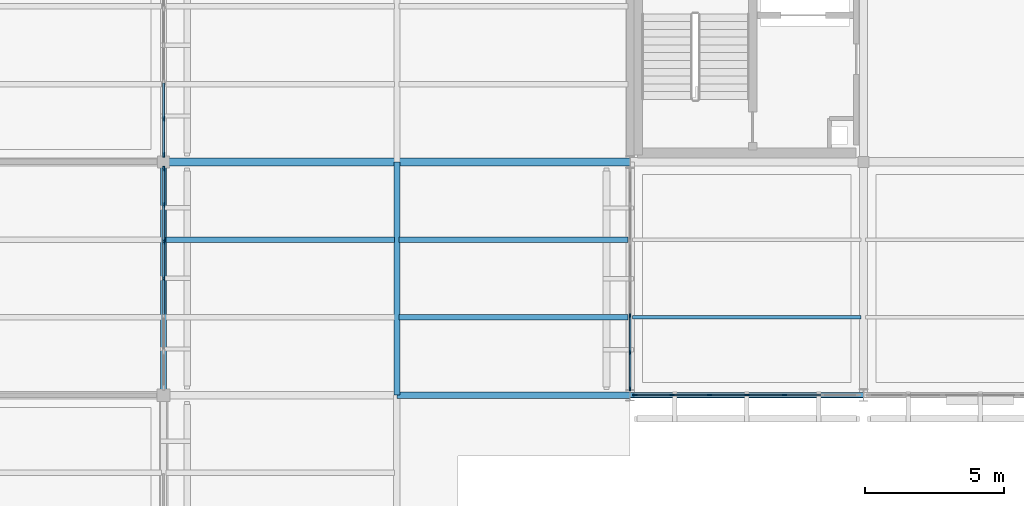
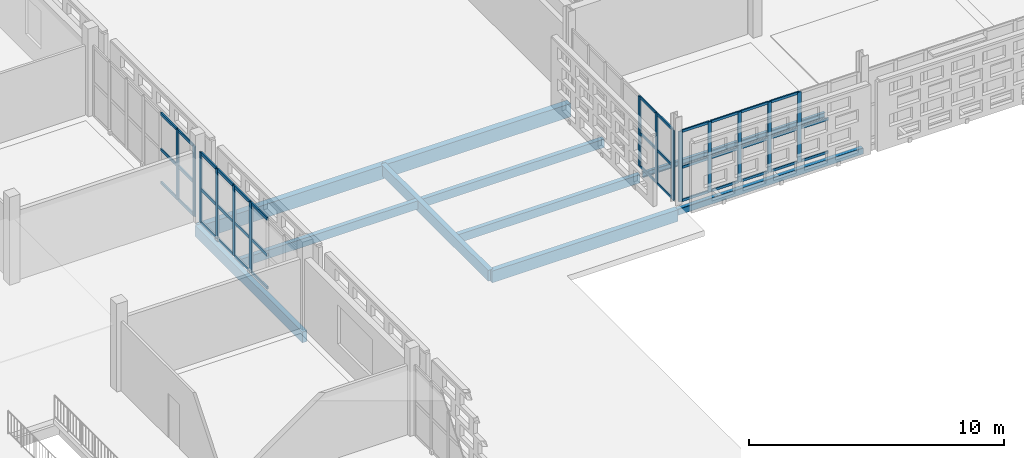
# One storey, part 34 of 166: 52 members, 10 beams, 4 elements without a shape of their own.
"""IFC4 building model written with IfcOpenShell, lengths in metres."""

from ifc_helpers import new_model, si_unit, direction, frame, origin, origin_2d, place, context, subcontext, project, spatial, rectangle, hollow_rectangle, i_section, extrude, material, layer, layer_set, material_profile, profile_set, type_object, element, aggregate, save


model = new_model("IFC4")

# Units and contexts
model_context = context("Model", 3, precision=1e-05, world=origin(), true_north=direction((0.0, 1.0)))
body_context = subcontext(model_context, "Body", "Model", "MODEL_VIEW")
ifc_project = project(units=[si_unit("LENGTHUNIT", "METRE"), si_unit("AREAUNIT", "SQUARE_METRE"), si_unit("VOLUMEUNIT", "CUBIC_METRE"), si_unit("PLANEANGLEUNIT", "RADIAN"), si_unit("MASSUNIT", "GRAM", prefix="KILO")], contexts=[model_context])

# Site, building, storey
site_placement = place(None, origin())
site = spatial("IfcSite", under=ifc_project, at=site_placement, CompositionType="ELEMENT")
building_placement = place(site_placement, origin())
building = spatial("IfcBuilding", under=site, at=building_placement, Name="Varnapada Polytechnic", CompositionType="ELEMENT")
storey_placement = place(building_placement, frame((0.0, 0.0, 9.60009765625)))
storey = spatial("IfcBuildingStorey", under=building, at=storey_placement, Name="L02", CompositionType="ELEMENT", Elevation=9.60009765625)

# Beams
ifc_material_1 = material(Name="Glulam GL32h", Category="wood")
ifc_material_profile_1 = material_profile(ifc_material_1, rectangle(XDim=0.280029296875, YDim=0.639892578125, at=origin_2d()), Name="GL 280x640")
ifc_profile_set_1 = profile_set([ifc_material_profile_1], Name="Glulam GL32h")
beam_type_1 = type_object("IfcBeamType", Name="Laboratory primary glulam girder GG-02 (GL 280x640)", PredefinedType="BEAM", material=ifc_profile_set_1)
for number, where, z_axis, x_axis, name in (
    (1, (33.60009765625, 92.39990234375, -0.590087890625), (1.0, 0.0, 0.0), (0.0, 1.0, 0.0), "L02 beam X 5-6 at Y12"),
    (2, (42.0, 92.39990234375, -0.590087890625), (1.0, 0.0, 0.0), (0.0, 1.0, 0.0), "L02 beam X 6-7 at Y12"),
):
    element("IfcBeam", number, at=place(storey_placement, frame(where, z_axis=z_axis, x_axis=x_axis)), inside=storey, type_object=beam_type_1, Name=name, PredefinedType="BEAM", context=body_context, shape_type="SweptSolid", body=[
        extrude(rectangle(XDim=0.280029296875, YDim=0.639892578125, at=origin_2d()), origin(), (0.0, 0.0, 1.0), 8.39990234375),
    ])
ifc_material_profile_2 = material_profile(ifc_material_1, rectangle(XDim=0.219970703125, YDim=0.52001953125, at=origin_2d()), Name="GL 220x520")
ifc_profile_set_2 = profile_set([ifc_material_profile_2], Name="Glulam GL32h")
beam_type_2 = type_object("IfcBeamType", Name="Laboratory transverse glulam beam GB-12 (GL 220x520)", PredefinedType="BEAM", material=ifc_profile_set_2)
for number, where, z_axis, x_axis, name in (
    (3, (33.60009765625, 84.0, -0.530029296875), (0.0, 1.0, 0.0), (-1.0, 0.0, 0.0), "L02 beam Y 11-12 at X5"),
    (4, (42.0, 84.0, -0.530029296875), (0.0, 1.0, 0.0), (-1.0, 0.0, 0.0), "L02 beam Y 11-12 at X6"),
):
    element("IfcBeam", number, at=place(storey_placement, frame(where, z_axis=z_axis, x_axis=x_axis)), inside=storey, type_object=beam_type_2, Name=name, PredefinedType="BEAM", context=body_context, shape_type="SweptSolid", body=[
        extrude(rectangle(XDim=0.219970703125, YDim=0.52001953125, at=origin_2d()), origin(), (0.0, 0.0, 1.0), 8.39990234375),
    ])
ifc_material_profile_3 = material_profile(ifc_material_1, rectangle(XDim=0.199951171875, YDim=0.39990234375, at=origin_2d()), Name="GL 200x400")
ifc_profile_set_3 = profile_set([ifc_material_profile_3], Name="Glulam GL32h")
beam_type_3 = type_object("IfcBeamType", Name="Library/laboratory glulam floor joist GJ-01 (GL 200x400)", PredefinedType="JOIST", material=ifc_profile_set_3)
for number, where, z_axis, x_axis, name in (
    (5, (33.679931640625, 89.60009765625, -0.47021484375), (1.0, 0.0, 0.0), (0.0, 1.0, 0.0), "L02 floor joist 5/11.2"),
    (6, (42.080078125, 86.800048828125, -0.47021484375), (1.0, 0.0, 0.0), (0.0, 1.0, 0.0), "L02 floor joist 6/11.1"),
    (7, (42.080078125, 89.60009765625, -0.47021484375), (1.0, 0.0, 0.0), (0.0, 1.0, 0.0), "L02 floor joist 6/11.2"),
):
    element("IfcBeam", number, at=place(storey_placement, frame(where, z_axis=z_axis, x_axis=x_axis)), inside=storey, type_object=beam_type_3, Name=name, PredefinedType="JOIST", context=body_context, shape_type="SweptSolid", body=[
        extrude(rectangle(XDim=0.199951171875, YDim=0.39990234375, at=origin_2d()), origin(), (0.0, 0.0, 1.0), 8.239990234375),
    ])

# Curtain wall, members
ifc_material_2 = material(Name="Double low-E laminated glass", Category="glass")
ifc_layer_1 = layer(ifc_material_2, 0.159912109375)
ifc_layer_set_1 = layer_set([ifc_layer_1], Name="Double low-E laminated glass")
curtain_wall_type_1 = type_object("IfcCurtainWallType", Name="Curtain Wall CW-01", PredefinedType="NOTDEFINED", material=ifc_layer_set_1)
curtain_wall_1_placement = place(storey_placement, origin())
curtain_wall_1 = element("IfcCurtainWall", 8, at=curtain_wall_1_placement, inside=storey, type_object=curtain_wall_type_1, Name="L02 unitised curtain wall CW-01 (158)", PredefinedType="NOTDEFINED")
ifc_material_3 = material(Name="Anodised aluminium", Category="aluminium")
ifc_material_profile_4 = material_profile(ifc_material_3, rectangle(XDim=0.06005859375, YDim=0.159912109375, at=origin_2d()), Name="ALU M60x160")
ifc_profile_set_4 = profile_set([ifc_material_profile_4], Name="Anodised aluminium")
member_type_1 = type_object("IfcMemberType", Name="Mullion M-01", PredefinedType="MULLION", material=ifc_profile_set_4)
member_1_placement = place(storey_placement, frame((55.949951171875, 84.0, 0.0), z_axis=(0.0, 0.0, 1.0), x_axis=(0.0, -1.0, 0.0)))
member_1 = element("IfcMember", 9, at=member_1_placement, type_object=member_type_1, Name="CW-01 mullion 3", PredefinedType="MULLION", context=body_context, shape_type="SweptSolid", body=[
    extrude(rectangle(XDim=0.06005859375, YDim=0.159912109375, at=origin_2d()), origin(), (0.0, 0.0, 1.0), 3.35986328125),
])
member_2_placement = place(storey_placement, frame((54.60009765625, 84.0, 0.0), z_axis=(0.0, 0.0, 1.0), x_axis=(0.0, -1.0, 0.0)))
member_2 = element("IfcMember", 10, at=member_2_placement, type_object=member_type_1, Name="CW-01 mullion 4", PredefinedType="MULLION", context=body_context, shape_type="SweptSolid", body=[
    extrude(rectangle(XDim=0.06005859375, YDim=0.159912109375, at=origin_2d()), origin(), (0.0, 0.0, 1.0), 3.35986328125),
])
member_3_placement = place(storey_placement, frame((53.25, 84.0, 0.0), z_axis=(0.0, 0.0, 1.0), x_axis=(0.0, -1.0, 0.0)))
member_3 = element("IfcMember", 11, at=member_3_placement, type_object=member_type_1, Name="CW-01 mullion 5", PredefinedType="MULLION", context=body_context, shape_type="SweptSolid", body=[
    extrude(rectangle(XDim=0.06005859375, YDim=0.159912109375, at=origin_2d()), origin(), (0.0, 0.0, 1.0), 3.35986328125),
])
member_4_placement = place(storey_placement, frame((51.89990234375, 84.0, 0.0), z_axis=(0.0, 0.0, 1.0), x_axis=(0.0, -1.0, 0.0)))
member_4 = element("IfcMember", 12, at=member_4_placement, type_object=member_type_1, Name="CW-01 mullion 6", PredefinedType="MULLION", context=body_context, shape_type="SweptSolid", body=[
    extrude(rectangle(XDim=0.06005859375, YDim=0.159912109375, at=origin_2d()), origin(), (0.0, 0.0, 1.0), 3.35986328125),
])
member_5_placement = place(storey_placement, frame((50.580078125, 84.0, 0.0), z_axis=(0.0, 0.0, 1.0), x_axis=(0.0, -1.0, 0.0)))
member_5 = element("IfcMember", 13, at=member_5_placement, type_object=member_type_1, Name="CW-01 mullion 7", PredefinedType="MULLION", context=body_context, shape_type="SweptSolid", body=[
    extrude(rectangle(XDim=0.06005859375, YDim=0.159912109375, at=origin_2d()), origin(), (0.0, 0.0, 1.0), 3.35986328125),
])

ifc_layer_2 = layer(ifc_material_2, 0.159912109375)
ifc_layer_set_2 = layer_set([ifc_layer_2], Name="Double low-E laminated glass")
curtain_wall_type_2 = type_object("IfcCurtainWallType", Name="Curtain Wall CW-02", PredefinedType="NOTDEFINED", material=ifc_layer_set_2)
curtain_wall_2_placement = place(storey_placement, origin())
curtain_wall_2 = element("IfcCurtainWall", 14, at=curtain_wall_2_placement, inside=storey, type_object=curtain_wall_type_2, Name="L02 unitised curtain wall CW-02 (159)", PredefinedType="NOTDEFINED")
member_6_placement = place(storey_placement, frame((50.39990234375, 84.22998046875, 0.0), z_axis=(0.0, 0.0, 1.0), x_axis=(-1.0, 0.0, 0.0)))
member_6 = element("IfcMember", 15, at=member_6_placement, type_object=member_type_1, Name="CW-02 mullion 1", PredefinedType="MULLION", context=body_context, shape_type="SweptSolid", body=[
    extrude(rectangle(XDim=0.06005859375, YDim=0.159912109375, at=origin_2d()), origin(), (0.0, 0.0, 1.0), 3.35986328125),
])
member_7_placement = place(storey_placement, frame((50.39990234375, 85.529052734375, 0.0), z_axis=(0.0, 0.0, 1.0), x_axis=(-1.0, 0.0, 0.0)))
member_7 = element("IfcMember", 16, at=member_7_placement, type_object=member_type_1, Name="CW-02 mullion 2", PredefinedType="MULLION", context=body_context, shape_type="SweptSolid", body=[
    extrude(rectangle(XDim=0.06005859375, YDim=0.159912109375, at=origin_2d()), origin(), (0.0, 0.0, 1.0), 3.35986328125),
])
member_8_placement = place(storey_placement, frame((50.39990234375, 86.8583984375, 0.0), z_axis=(0.0, 0.0, 1.0), x_axis=(-1.0, 0.0, 0.0)))
member_8 = element("IfcMember", 17, at=member_8_placement, type_object=member_type_1, Name="CW-02 mullion 3", PredefinedType="MULLION", context=body_context, shape_type="SweptSolid", body=[
    extrude(rectangle(XDim=0.06005859375, YDim=0.159912109375, at=origin_2d()), origin(), (0.0, 0.0, 1.0), 3.35986328125),
])

ifc_layer_3 = layer(ifc_material_2, 0.179931640625)
ifc_layer_set_3 = layer_set([ifc_layer_3], Name="Double low-E laminated glass")
curtain_wall_type_3 = type_object("IfcCurtainWallType", Name="Curtain Wall CW-03", PredefinedType="NOTDEFINED", material=ifc_layer_set_3)
curtain_wall_3_placement = place(storey_placement, origin())
curtain_wall_3 = element("IfcCurtainWall", 18, at=curtain_wall_3_placement, inside=storey, type_object=curtain_wall_type_3, Name="L02 unitised curtain wall CW-03 (146)", PredefinedType="NOTDEFINED")
ifc_material_profile_5 = material_profile(ifc_material_3, rectangle(XDim=0.06494140625, YDim=0.179931640625, at=origin_2d()), Name="ALU M65x180")
ifc_profile_set_5 = profile_set([ifc_material_profile_5], Name="Anodised aluminium")
member_type_2 = type_object("IfcMemberType", Name="Mullion M-02", PredefinedType="MULLION", material=ifc_profile_set_5)
member_9_placement = place(storey_placement, frame((33.60009765625, 92.1474609375, 0.0), z_axis=(0.0, 0.0, 1.0), x_axis=(1.0, 0.0, 0.0)))
member_9 = element("IfcMember", 19, at=member_9_placement, type_object=member_type_2, Name="CW-03 mullion 1", PredefinedType="MULLION", context=body_context, shape_type="SweptSolid", body=[
    extrude(rectangle(XDim=0.06494140625, YDim=0.179931640625, at=origin_2d()), origin(), (0.0, 0.0, 1.0), 3.35986328125),
])
member_10_placement = place(storey_placement, frame((33.60009765625, 90.85498046875, 0.0), z_axis=(0.0, 0.0, 1.0), x_axis=(1.0, 0.0, 0.0)))
member_10 = element("IfcMember", 20, at=member_10_placement, type_object=member_type_2, Name="CW-03 mullion 2", PredefinedType="MULLION", context=body_context, shape_type="SweptSolid", body=[
    extrude(rectangle(XDim=0.06494140625, YDim=0.179931640625, at=origin_2d()), origin(), (0.0, 0.0, 1.0), 3.35986328125),
])
member_11_placement = place(storey_placement, frame((33.60009765625, 89.530029296875, 0.0), z_axis=(0.0, 0.0, 1.0), x_axis=(1.0, 0.0, 0.0)))
member_11 = element("IfcMember", 21, at=member_11_placement, type_object=member_type_2, Name="CW-03 mullion 3", PredefinedType="MULLION", context=body_context, shape_type="SweptSolid", body=[
    extrude(rectangle(XDim=0.06494140625, YDim=0.179931640625, at=origin_2d()), origin(), (0.0, 0.0, 1.0), 3.35986328125),
])
member_12_placement = place(storey_placement, frame((33.60009765625, 88.205078125, 0.0), z_axis=(0.0, 0.0, 1.0), x_axis=(1.0, 0.0, 0.0)))
member_12 = element("IfcMember", 22, at=member_12_placement, type_object=member_type_2, Name="CW-03 mullion 4", PredefinedType="MULLION", context=body_context, shape_type="SweptSolid", body=[
    extrude(rectangle(XDim=0.06494140625, YDim=0.179931640625, at=origin_2d()), origin(), (0.0, 0.0, 1.0), 3.35986328125),
])

curtain_wall_4_placement = place(storey_placement, origin())
curtain_wall_4 = element("IfcCurtainWall", 23, at=curtain_wall_4_placement, inside=storey, type_object=curtain_wall_type_3, Name="L02 unitised curtain wall CW-03 (147)", PredefinedType="NOTDEFINED")
member_13_placement = place(storey_placement, frame((33.60009765625, 93.945068359375, 0.0), z_axis=(0.0, 0.0, 1.0), x_axis=(1.0, 0.0, 0.0)))
member_13 = element("IfcMember", 24, at=member_13_placement, type_object=member_type_2, Name="CW-03 mullion 6", PredefinedType="MULLION", context=body_context, shape_type="SweptSolid", body=[
    extrude(rectangle(XDim=0.06494140625, YDim=0.179931640625, at=origin_2d()), origin(), (0.0, 0.0, 1.0), 3.35986328125),
])
member_14_placement = place(storey_placement, frame((33.60009765625, 92.652587890625, 0.0), z_axis=(0.0, 0.0, 1.0), x_axis=(1.0, 0.0, 0.0)))
member_14 = element("IfcMember", 25, at=member_14_placement, type_object=member_type_2, Name="CW-03 mullion 7", PredefinedType="MULLION", context=body_context, shape_type="SweptSolid", body=[
    extrude(rectangle(XDim=0.06494140625, YDim=0.179931640625, at=origin_2d()), origin(), (0.0, 0.0, 1.0), 3.35986328125),
])

# Beam
ifc_material_profile_6 = material_profile(ifc_material_1, rectangle(XDim=0.239990234375, YDim=0.56005859375, at=origin_2d()), Name="GL 240x560")
ifc_profile_set_6 = profile_set([ifc_material_profile_6], Name="Glulam GL32h")
beam_type_4 = type_object("IfcBeamType", Name="Perimeter glulam spandrel beam SP-02 (GL 240x560)", PredefinedType="SPANDREL", material=ifc_profile_set_6)
beam_1_placement = place(storey_placement, frame((42.0, 84.0, -0.550048828125), z_axis=(1.0, 0.0, 0.0), x_axis=(0.0, 1.0, 0.0)))
element("IfcBeam", 26, at=beam_1_placement, inside=storey, type_object=beam_type_4, Name="L02 beam X 6-7 at Y11", PredefinedType="SPANDREL", context=body_context, shape_type="SweptSolid", body=[
    extrude(rectangle(XDim=0.239990234375, YDim=0.56005859375, at=origin_2d()), origin(), (0.0, 0.0, 1.0), 8.39990234375),
])

# Member
ifc_material_profile_7 = material_profile(ifc_material_3, rectangle(XDim=0.06005859375, YDim=0.1201171875, at=origin_2d()), Name="ALU T60x120")
ifc_profile_set_7 = profile_set([ifc_material_profile_7], Name="Anodised aluminium")
member_type_3 = type_object("IfcMemberType", Name="Transom T-01", PredefinedType="USERDEFINED", material=ifc_profile_set_7)
member_15_placement = place(storey_placement, frame((57.27001953125, 84.0, 0.02978515625), z_axis=(-1.0, 0.0, 0.0), x_axis=(0.0, -1.0, 0.0)))
member_15 = element("IfcMember", 27, at=member_15_placement, type_object=member_type_3, Name="CW-01 transom 2.1", ObjectType="TRANSOM", PredefinedType="USERDEFINED", context=body_context, shape_type="SweptSolid", body=[
    extrude(rectangle(XDim=0.06005859375, YDim=0.1201171875, at=origin_2d()), origin(), (0.0, 0.0, 1.0), 1.2900390625),
])

member_16_placement = place(storey_placement, frame((57.27001953125, 84.0, 1.61279296875), z_axis=(-1.0, 0.0, 0.0), x_axis=(0.0, -1.0, 0.0)))
member_16 = element("IfcMember", 28, at=member_16_placement, type_object=member_type_3, Name="CW-01 transom 2.2", ObjectType="TRANSOM", PredefinedType="USERDEFINED", context=body_context, shape_type="SweptSolid", body=[
    extrude(rectangle(XDim=0.06005859375, YDim=0.1201171875, at=origin_2d()), origin(), (0.0, 0.0, 1.0), 1.2900390625),
])

member_17_placement = place(storey_placement, frame((55.919921875, 84.0, 0.02978515625), z_axis=(-1.0, 0.0, 0.0), x_axis=(0.0, -1.0, 0.0)))
member_17 = element("IfcMember", 29, at=member_17_placement, type_object=member_type_3, Name="CW-01 transom 3.1", ObjectType="TRANSOM", PredefinedType="USERDEFINED", context=body_context, shape_type="SweptSolid", body=[
    extrude(rectangle(XDim=0.06005859375, YDim=0.1201171875, at=origin_2d()), origin(), (0.0, 0.0, 1.0), 1.2900390625),
])

member_18_placement = place(storey_placement, frame((55.919921875, 84.0, 1.61279296875), z_axis=(-1.0, 0.0, 0.0), x_axis=(0.0, -1.0, 0.0)))
member_18 = element("IfcMember", 30, at=member_18_placement, type_object=member_type_3, Name="CW-01 transom 3.2", ObjectType="TRANSOM", PredefinedType="USERDEFINED", context=body_context, shape_type="SweptSolid", body=[
    extrude(rectangle(XDim=0.06005859375, YDim=0.1201171875, at=origin_2d()), origin(), (0.0, 0.0, 1.0), 1.2900390625),
])

member_19_placement = place(storey_placement, frame((55.919921875, 84.0, 3.329833984375), z_axis=(-1.0, 0.0, 0.0), x_axis=(0.0, -1.0, 0.0)))
member_19 = element("IfcMember", 31, at=member_19_placement, type_object=member_type_3, Name="CW-01 transom 3.3", ObjectType="TRANSOM", PredefinedType="USERDEFINED", context=body_context, shape_type="SweptSolid", body=[
    extrude(rectangle(XDim=0.06005859375, YDim=0.1201171875, at=origin_2d()), origin(), (0.0, 0.0, 1.0), 1.2900390625),
])

member_20_placement = place(storey_placement, frame((54.570068359375, 84.0, 0.02978515625), z_axis=(-1.0, 0.0, 0.0), x_axis=(0.0, -1.0, 0.0)))
member_20 = element("IfcMember", 32, at=member_20_placement, type_object=member_type_3, Name="CW-01 transom 4.1", ObjectType="TRANSOM", PredefinedType="USERDEFINED", context=body_context, shape_type="SweptSolid", body=[
    extrude(rectangle(XDim=0.06005859375, YDim=0.1201171875, at=origin_2d()), origin(), (0.0, 0.0, 1.0), 1.2900390625),
])

member_21_placement = place(storey_placement, frame((54.570068359375, 84.0, 1.61279296875), z_axis=(-1.0, 0.0, 0.0), x_axis=(0.0, -1.0, 0.0)))
member_21 = element("IfcMember", 33, at=member_21_placement, type_object=member_type_3, Name="CW-01 transom 4.2", ObjectType="TRANSOM", PredefinedType="USERDEFINED", context=body_context, shape_type="SweptSolid", body=[
    extrude(rectangle(XDim=0.06005859375, YDim=0.1201171875, at=origin_2d()), origin(), (0.0, 0.0, 1.0), 1.2900390625),
])

member_22_placement = place(storey_placement, frame((54.570068359375, 84.0, 3.329833984375), z_axis=(-1.0, 0.0, 0.0), x_axis=(0.0, -1.0, 0.0)))
member_22 = element("IfcMember", 34, at=member_22_placement, type_object=member_type_3, Name="CW-01 transom 4.3", ObjectType="TRANSOM", PredefinedType="USERDEFINED", context=body_context, shape_type="SweptSolid", body=[
    extrude(rectangle(XDim=0.06005859375, YDim=0.1201171875, at=origin_2d()), origin(), (0.0, 0.0, 1.0), 1.2900390625),
])

member_23_placement = place(storey_placement, frame((53.219970703125, 84.0, 0.02978515625), z_axis=(-1.0, 0.0, 0.0), x_axis=(0.0, -1.0, 0.0)))
member_23 = element("IfcMember", 35, at=member_23_placement, type_object=member_type_3, Name="CW-01 transom 5.1", ObjectType="TRANSOM", PredefinedType="USERDEFINED", context=body_context, shape_type="SweptSolid", body=[
    extrude(rectangle(XDim=0.06005859375, YDim=0.1201171875, at=origin_2d()), origin(), (0.0, 0.0, 1.0), 1.2900390625),
])

member_24_placement = place(storey_placement, frame((53.219970703125, 84.0, 1.61279296875), z_axis=(-1.0, 0.0, 0.0), x_axis=(0.0, -1.0, 0.0)))
member_24 = element("IfcMember", 36, at=member_24_placement, type_object=member_type_3, Name="CW-01 transom 5.2", ObjectType="TRANSOM", PredefinedType="USERDEFINED", context=body_context, shape_type="SweptSolid", body=[
    extrude(rectangle(XDim=0.06005859375, YDim=0.1201171875, at=origin_2d()), origin(), (0.0, 0.0, 1.0), 1.2900390625),
])

member_25_placement = place(storey_placement, frame((53.219970703125, 84.0, 3.329833984375), z_axis=(-1.0, 0.0, 0.0), x_axis=(0.0, -1.0, 0.0)))
member_25 = element("IfcMember", 37, at=member_25_placement, type_object=member_type_3, Name="CW-01 transom 5.3", ObjectType="TRANSOM", PredefinedType="USERDEFINED", context=body_context, shape_type="SweptSolid", body=[
    extrude(rectangle(XDim=0.06005859375, YDim=0.1201171875, at=origin_2d()), origin(), (0.0, 0.0, 1.0), 1.2900390625),
])

member_26_placement = place(storey_placement, frame((51.8701171875, 84.0, 0.02978515625), z_axis=(-1.0, 0.0, 0.0), x_axis=(0.0, -1.0, 0.0)))
member_26 = element("IfcMember", 38, at=member_26_placement, type_object=member_type_3, Name="CW-01 transom 6.1", ObjectType="TRANSOM", PredefinedType="USERDEFINED", context=body_context, shape_type="SweptSolid", body=[
    extrude(rectangle(XDim=0.06005859375, YDim=0.1201171875, at=origin_2d()), origin(), (0.0, 0.0, 1.0), 1.260009765625),
])

member_27_placement = place(storey_placement, frame((51.8701171875, 84.0, 1.61279296875), z_axis=(-1.0, 0.0, 0.0), x_axis=(0.0, -1.0, 0.0)))
member_27 = element("IfcMember", 39, at=member_27_placement, type_object=member_type_3, Name="CW-01 transom 6.2", ObjectType="TRANSOM", PredefinedType="USERDEFINED", context=body_context, shape_type="SweptSolid", body=[
    extrude(rectangle(XDim=0.06005859375, YDim=0.1201171875, at=origin_2d()), origin(), (0.0, 0.0, 1.0), 1.260009765625),
])

member_28_placement = place(storey_placement, frame((51.8701171875, 84.0, 3.329833984375), z_axis=(-1.0, 0.0, 0.0), x_axis=(0.0, -1.0, 0.0)))
member_28 = element("IfcMember", 40, at=member_28_placement, type_object=member_type_3, Name="CW-01 transom 6.3", ObjectType="TRANSOM", PredefinedType="USERDEFINED", context=body_context, shape_type="SweptSolid", body=[
    extrude(rectangle(XDim=0.06005859375, YDim=0.1201171875, at=origin_2d()), origin(), (0.0, 0.0, 1.0), 1.260009765625),
])

aggregate(curtain_wall_1, [member_1, member_2, member_3, member_4, member_5, member_15, member_16, member_17, member_18, member_19, member_20, member_21, member_22, member_23, member_24, member_25, member_26, member_27, member_28])

member_29_placement = place(storey_placement, frame((50.39990234375, 84.260009765625, 0.02978515625), z_axis=(0.0, 1.0, 0.0), x_axis=(-1.0, 0.0, 0.0)))
member_29 = element("IfcMember", 41, at=member_29_placement, type_object=member_type_3, Name="CW-02 transom 1.1", ObjectType="TRANSOM", PredefinedType="USERDEFINED", context=body_context, shape_type="SweptSolid", body=[
    extrude(rectangle(XDim=0.06005859375, YDim=0.1201171875, at=origin_2d()), origin(), (0.0, 0.0, 1.0), 1.2392578125),
])

member_30_placement = place(storey_placement, frame((50.39990234375, 84.260009765625, 1.61279296875), z_axis=(0.0, 1.0, 0.0), x_axis=(-1.0, 0.0, 0.0)))
member_30 = element("IfcMember", 42, at=member_30_placement, type_object=member_type_3, Name="CW-02 transom 1.2", ObjectType="TRANSOM", PredefinedType="USERDEFINED", context=body_context, shape_type="SweptSolid", body=[
    extrude(rectangle(XDim=0.06005859375, YDim=0.1201171875, at=origin_2d()), origin(), (0.0, 0.0, 1.0), 1.2392578125),
])

member_31_placement = place(storey_placement, frame((50.39990234375, 84.260009765625, 3.329833984375), z_axis=(0.0, 1.0, 0.0), x_axis=(-1.0, 0.0, 0.0)))
member_31 = element("IfcMember", 43, at=member_31_placement, type_object=member_type_3, Name="CW-02 transom 1.3", ObjectType="TRANSOM", PredefinedType="USERDEFINED", context=body_context, shape_type="SweptSolid", body=[
    extrude(rectangle(XDim=0.06005859375, YDim=0.1201171875, at=origin_2d()), origin(), (0.0, 0.0, 1.0), 1.2392578125),
])

member_32_placement = place(storey_placement, frame((50.39990234375, 85.55908203125, 0.02978515625), z_axis=(0.0, 1.0, 0.0), x_axis=(-1.0, 0.0, 0.0)))
member_32 = element("IfcMember", 44, at=member_32_placement, type_object=member_type_3, Name="CW-02 transom 2.1", ObjectType="TRANSOM", PredefinedType="USERDEFINED", context=body_context, shape_type="SweptSolid", body=[
    extrude(rectangle(XDim=0.06005859375, YDim=0.1201171875, at=origin_2d()), origin(), (0.0, 0.0, 1.0), 1.269287109375),
])

member_33_placement = place(storey_placement, frame((50.39990234375, 85.55908203125, 1.61279296875), z_axis=(0.0, 1.0, 0.0), x_axis=(-1.0, 0.0, 0.0)))
member_33 = element("IfcMember", 45, at=member_33_placement, type_object=member_type_3, Name="CW-02 transom 2.2", ObjectType="TRANSOM", PredefinedType="USERDEFINED", context=body_context, shape_type="SweptSolid", body=[
    extrude(rectangle(XDim=0.06005859375, YDim=0.1201171875, at=origin_2d()), origin(), (0.0, 0.0, 1.0), 1.269287109375),
])

member_34_placement = place(storey_placement, frame((50.39990234375, 85.55908203125, 3.329833984375), z_axis=(0.0, 1.0, 0.0), x_axis=(-1.0, 0.0, 0.0)))
member_34 = element("IfcMember", 46, at=member_34_placement, type_object=member_type_3, Name="CW-02 transom 2.3", ObjectType="TRANSOM", PredefinedType="USERDEFINED", context=body_context, shape_type="SweptSolid", body=[
    extrude(rectangle(XDim=0.06005859375, YDim=0.1201171875, at=origin_2d()), origin(), (0.0, 0.0, 1.0), 1.269287109375),
])

aggregate(curtain_wall_2, [member_6, member_7, member_8, member_29, member_30, member_31, member_32, member_33, member_34])

ifc_material_profile_8 = material_profile(ifc_material_3, rectangle(XDim=0.06494140625, YDim=0.139892578125, at=origin_2d()), Name="ALU T65x140")
ifc_profile_set_8 = profile_set([ifc_material_profile_8], Name="Anodised aluminium")
member_type_4 = type_object("IfcMemberType", Name="Transom T-02", PredefinedType="USERDEFINED", material=ifc_profile_set_8)
member_35_placement = place(storey_placement, frame((33.60009765625, 92.114990234375, 0.032470703125), z_axis=(0.0, -1.0, 0.0), x_axis=(1.0, 0.0, 0.0)))
member_35 = element("IfcMember", 47, at=member_35_placement, type_object=member_type_4, Name="CW-03 transom 1.1", ObjectType="TRANSOM", PredefinedType="USERDEFINED", context=body_context, shape_type="SweptSolid", body=[
    extrude(rectangle(XDim=0.06494140625, YDim=0.139892578125, at=origin_2d()), origin(), (0.0, 0.0, 1.0), 1.2275390625),
])

member_36_placement = place(storey_placement, frame((33.60009765625, 92.114990234375, 1.61279296875), z_axis=(0.0, -1.0, 0.0), x_axis=(1.0, 0.0, 0.0)))
member_36 = element("IfcMember", 48, at=member_36_placement, type_object=member_type_4, Name="CW-03 transom 1.2", ObjectType="TRANSOM", PredefinedType="USERDEFINED", context=body_context, shape_type="SweptSolid", body=[
    extrude(rectangle(XDim=0.06494140625, YDim=0.139892578125, at=origin_2d()), origin(), (0.0, 0.0, 1.0), 1.2275390625),
])

member_37_placement = place(storey_placement, frame((33.60009765625, 92.114990234375, 3.327392578125), z_axis=(0.0, -1.0, 0.0), x_axis=(1.0, 0.0, 0.0)))
member_37 = element("IfcMember", 49, at=member_37_placement, type_object=member_type_4, Name="CW-03 transom 1.3", ObjectType="TRANSOM", PredefinedType="USERDEFINED", context=body_context, shape_type="SweptSolid", body=[
    extrude(rectangle(XDim=0.06494140625, YDim=0.139892578125, at=origin_2d()), origin(), (0.0, 0.0, 1.0), 1.2275390625),
])

member_38_placement = place(storey_placement, frame((33.60009765625, 90.822509765625, 0.032470703125), z_axis=(0.0, -1.0, 0.0), x_axis=(1.0, 0.0, 0.0)))
member_38 = element("IfcMember", 50, at=member_38_placement, type_object=member_type_4, Name="CW-03 transom 2.1", ObjectType="TRANSOM", PredefinedType="USERDEFINED", context=body_context, shape_type="SweptSolid", body=[
    extrude(rectangle(XDim=0.06494140625, YDim=0.139892578125, at=origin_2d()), origin(), (0.0, 0.0, 1.0), 1.260009765625),
])

member_39_placement = place(storey_placement, frame((33.60009765625, 90.822509765625, 1.61279296875), z_axis=(0.0, -1.0, 0.0), x_axis=(1.0, 0.0, 0.0)))
member_39 = element("IfcMember", 51, at=member_39_placement, type_object=member_type_4, Name="CW-03 transom 2.2", ObjectType="TRANSOM", PredefinedType="USERDEFINED", context=body_context, shape_type="SweptSolid", body=[
    extrude(rectangle(XDim=0.06494140625, YDim=0.139892578125, at=origin_2d()), origin(), (0.0, 0.0, 1.0), 1.260009765625),
])

member_40_placement = place(storey_placement, frame((33.60009765625, 90.822509765625, 3.327392578125), z_axis=(0.0, -1.0, 0.0), x_axis=(1.0, 0.0, 0.0)))
member_40 = element("IfcMember", 52, at=member_40_placement, type_object=member_type_4, Name="CW-03 transom 2.3", ObjectType="TRANSOM", PredefinedType="USERDEFINED", context=body_context, shape_type="SweptSolid", body=[
    extrude(rectangle(XDim=0.06494140625, YDim=0.139892578125, at=origin_2d()), origin(), (0.0, 0.0, 1.0), 1.260009765625),
])

member_41_placement = place(storey_placement, frame((33.60009765625, 89.49755859375, 0.032470703125), z_axis=(0.0, -1.0, 0.0), x_axis=(1.0, 0.0, 0.0)))
member_41 = element("IfcMember", 53, at=member_41_placement, type_object=member_type_4, Name="CW-03 transom 3.1", ObjectType="TRANSOM", PredefinedType="USERDEFINED", context=body_context, shape_type="SweptSolid", body=[
    extrude(rectangle(XDim=0.06494140625, YDim=0.139892578125, at=origin_2d()), origin(), (0.0, 0.0, 1.0), 1.260009765625),
])

member_42_placement = place(storey_placement, frame((33.60009765625, 89.49755859375, 1.61279296875), z_axis=(0.0, -1.0, 0.0), x_axis=(1.0, 0.0, 0.0)))
member_42 = element("IfcMember", 54, at=member_42_placement, type_object=member_type_4, Name="CW-03 transom 3.2", ObjectType="TRANSOM", PredefinedType="USERDEFINED", context=body_context, shape_type="SweptSolid", body=[
    extrude(rectangle(XDim=0.06494140625, YDim=0.139892578125, at=origin_2d()), origin(), (0.0, 0.0, 1.0), 1.260009765625),
])

member_43_placement = place(storey_placement, frame((33.60009765625, 89.49755859375, 3.327392578125), z_axis=(0.0, -1.0, 0.0), x_axis=(1.0, 0.0, 0.0)))
member_43 = element("IfcMember", 55, at=member_43_placement, type_object=member_type_4, Name="CW-03 transom 3.3", ObjectType="TRANSOM", PredefinedType="USERDEFINED", context=body_context, shape_type="SweptSolid", body=[
    extrude(rectangle(XDim=0.06494140625, YDim=0.139892578125, at=origin_2d()), origin(), (0.0, 0.0, 1.0), 1.260009765625),
])

member_44_placement = place(storey_placement, frame((33.60009765625, 88.172607421875, 0.032470703125), z_axis=(0.0, -1.0, 0.0), x_axis=(1.0, 0.0, 0.0)))
member_44 = element("IfcMember", 56, at=member_44_placement, type_object=member_type_4, Name="CW-03 transom 4.1", ObjectType="TRANSOM", PredefinedType="USERDEFINED", context=body_context, shape_type="SweptSolid", body=[
    extrude(rectangle(XDim=0.06494140625, YDim=0.139892578125, at=origin_2d()), origin(), (0.0, 0.0, 1.0), 1.260009765625),
])

member_45_placement = place(storey_placement, frame((33.60009765625, 88.172607421875, 1.61279296875), z_axis=(0.0, -1.0, 0.0), x_axis=(1.0, 0.0, 0.0)))
member_45 = element("IfcMember", 57, at=member_45_placement, type_object=member_type_4, Name="CW-03 transom 4.2", ObjectType="TRANSOM", PredefinedType="USERDEFINED", context=body_context, shape_type="SweptSolid", body=[
    extrude(rectangle(XDim=0.06494140625, YDim=0.139892578125, at=origin_2d()), origin(), (0.0, 0.0, 1.0), 1.260009765625),
])

member_46_placement = place(storey_placement, frame((33.60009765625, 88.172607421875, 3.327392578125), z_axis=(0.0, -1.0, 0.0), x_axis=(1.0, 0.0, 0.0)))
member_46 = element("IfcMember", 58, at=member_46_placement, type_object=member_type_4, Name="CW-03 transom 4.3", ObjectType="TRANSOM", PredefinedType="USERDEFINED", context=body_context, shape_type="SweptSolid", body=[
    extrude(rectangle(XDim=0.06494140625, YDim=0.139892578125, at=origin_2d()), origin(), (0.0, 0.0, 1.0), 1.260009765625),
])

aggregate(curtain_wall_3, [member_9, member_10, member_11, member_12, member_35, member_36, member_37, member_38, member_39, member_40, member_41, member_42, member_43, member_44, member_45, member_46])

member_47_placement = place(storey_placement, frame((33.60009765625, 95.237548828125, 0.032470703125), z_axis=(0.0, -1.0, 0.0), x_axis=(1.0, 0.0, 0.0)))
member_47 = element("IfcMember", 59, at=member_47_placement, type_object=member_type_4, Name="CW-03 transom 5.1", ObjectType="TRANSOM", PredefinedType="USERDEFINED", context=body_context, shape_type="SweptSolid", body=[
    extrude(rectangle(XDim=0.06494140625, YDim=0.139892578125, at=origin_2d()), origin(), (0.0, 0.0, 1.0), 1.260009765625),
])

member_48_placement = place(storey_placement, frame((33.60009765625, 95.237548828125, 1.61279296875), z_axis=(0.0, -1.0, 0.0), x_axis=(1.0, 0.0, 0.0)))
member_48 = element("IfcMember", 60, at=member_48_placement, type_object=member_type_4, Name="CW-03 transom 5.2", ObjectType="TRANSOM", PredefinedType="USERDEFINED", context=body_context, shape_type="SweptSolid", body=[
    extrude(rectangle(XDim=0.06494140625, YDim=0.139892578125, at=origin_2d()), origin(), (0.0, 0.0, 1.0), 1.260009765625),
])

member_49_placement = place(storey_placement, frame((33.60009765625, 95.237548828125, 3.327392578125), z_axis=(0.0, -1.0, 0.0), x_axis=(1.0, 0.0, 0.0)))
member_49 = element("IfcMember", 61, at=member_49_placement, type_object=member_type_4, Name="CW-03 transom 5.3", ObjectType="TRANSOM", PredefinedType="USERDEFINED", context=body_context, shape_type="SweptSolid", body=[
    extrude(rectangle(XDim=0.06494140625, YDim=0.139892578125, at=origin_2d()), origin(), (0.0, 0.0, 1.0), 1.260009765625),
])

member_50_placement = place(storey_placement, frame((33.60009765625, 93.91259765625, 0.032470703125), z_axis=(0.0, -1.0, 0.0), x_axis=(1.0, 0.0, 0.0)))
member_50 = element("IfcMember", 62, at=member_50_placement, type_object=member_type_4, Name="CW-03 transom 6.1", ObjectType="TRANSOM", PredefinedType="USERDEFINED", context=body_context, shape_type="SweptSolid", body=[
    extrude(rectangle(XDim=0.06494140625, YDim=0.139892578125, at=origin_2d()), origin(), (0.0, 0.0, 1.0), 1.2275390625),
])

member_51_placement = place(storey_placement, frame((33.60009765625, 93.91259765625, 1.61279296875), z_axis=(0.0, -1.0, 0.0), x_axis=(1.0, 0.0, 0.0)))
member_51 = element("IfcMember", 63, at=member_51_placement, type_object=member_type_4, Name="CW-03 transom 6.2", ObjectType="TRANSOM", PredefinedType="USERDEFINED", context=body_context, shape_type="SweptSolid", body=[
    extrude(rectangle(XDim=0.06494140625, YDim=0.139892578125, at=origin_2d()), origin(), (0.0, 0.0, 1.0), 1.2275390625),
])

member_52_placement = place(storey_placement, frame((33.60009765625, 93.91259765625, 3.327392578125), z_axis=(0.0, -1.0, 0.0), x_axis=(1.0, 0.0, 0.0)))
member_52 = element("IfcMember", 64, at=member_52_placement, type_object=member_type_4, Name="CW-03 transom 6.3", ObjectType="TRANSOM", PredefinedType="USERDEFINED", context=body_context, shape_type="SweptSolid", body=[
    extrude(rectangle(XDim=0.06494140625, YDim=0.139892578125, at=origin_2d()), origin(), (0.0, 0.0, 1.0), 1.2275390625),
])

aggregate(curtain_wall_4, [member_13, member_14, member_47, member_48, member_49, member_50, member_51, member_52])

# Beams
ifc_material_4 = material(Name="Steel S355", Category="steel")
ifc_material_profile_9 = material_profile(ifc_material_4, i_section(OverallWidth=0.1201171875, OverallDepth=0.239990234375, WebThickness=0.006103515625, FlangeThickness=0.009765625, FilletRadius=0.014892578125, at=origin_2d()), Name="IPE 240")
ifc_profile_set_9 = profile_set([ifc_material_profile_9], Name="Steel S355")
beam_type_5 = type_object("IfcBeamType", Name="Workshop gallery composite joist SJ-01 (IPE 240)", PredefinedType="JOIST", material=ifc_profile_set_9)
beam_2_placement = place(storey_placement, frame((50.47998046875, 86.800048828125, -0.39013671875), z_axis=(1.0, 0.0, 0.0), x_axis=(0.0, 1.0, 0.0)))
element("IfcBeam", 65, at=beam_2_placement, inside=storey, type_object=beam_type_5, Name="L02 floor joist 7/11.1", PredefinedType="JOIST", context=body_context, shape_type="SweptSolid", body=[
    extrude(i_section(OverallWidth=0.1201171875, OverallDepth=0.239990234375, WebThickness=0.006103515625, FlangeThickness=0.009765625, FilletRadius=0.014892578125, at=origin_2d()), origin(), (0.0, 0.0, 1.0), 8.239990234375),
])
ifc_material_profile_10 = material_profile(ifc_material_4, hollow_rectangle(XDim=0.199951171875, YDim=0.300048828125, WallThickness=0.010009765625, InnerFilletRadius=0.010009765625, OuterFilletRadius=0.02001953125, at=origin_2d()), Name="RHS 300x200x10")
ifc_profile_set_10 = profile_set([ifc_material_profile_10], Name="Steel S355")
beam_type_6 = type_object("IfcBeamType", Name="Workshop steel spandrel tie SP-03 (RHS 300x200x10)", PredefinedType="SPANDREL", material=ifc_profile_set_10)
beam_3_placement = place(storey_placement, frame((50.39990234375, 84.0, -0.420166015625), z_axis=(1.0, 0.0, 0.0), x_axis=(0.0, 1.0, 0.0)))
element("IfcBeam", 66, at=beam_3_placement, inside=storey, type_object=beam_type_6, Name="L02 beam X 7-8 at Y11", PredefinedType="SPANDREL", context=body_context, shape_type="SweptSolid", body=[
    extrude(hollow_rectangle(XDim=0.199951171875, YDim=0.300048828125, WallThickness=0.010009765625, InnerFilletRadius=0.010009765625, OuterFilletRadius=0.02001953125, at=origin_2d()), origin(), (0.0, 0.0, 1.0), 8.400146484375),
])

save(model, "model.ifc")
